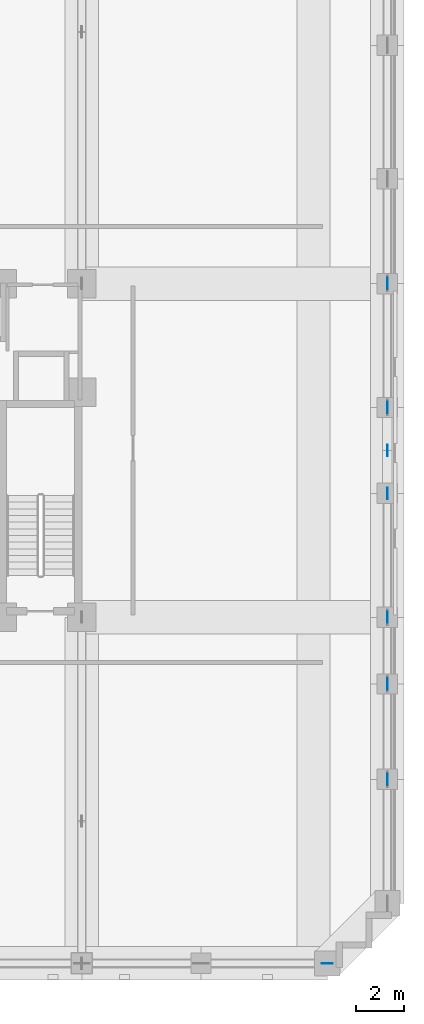
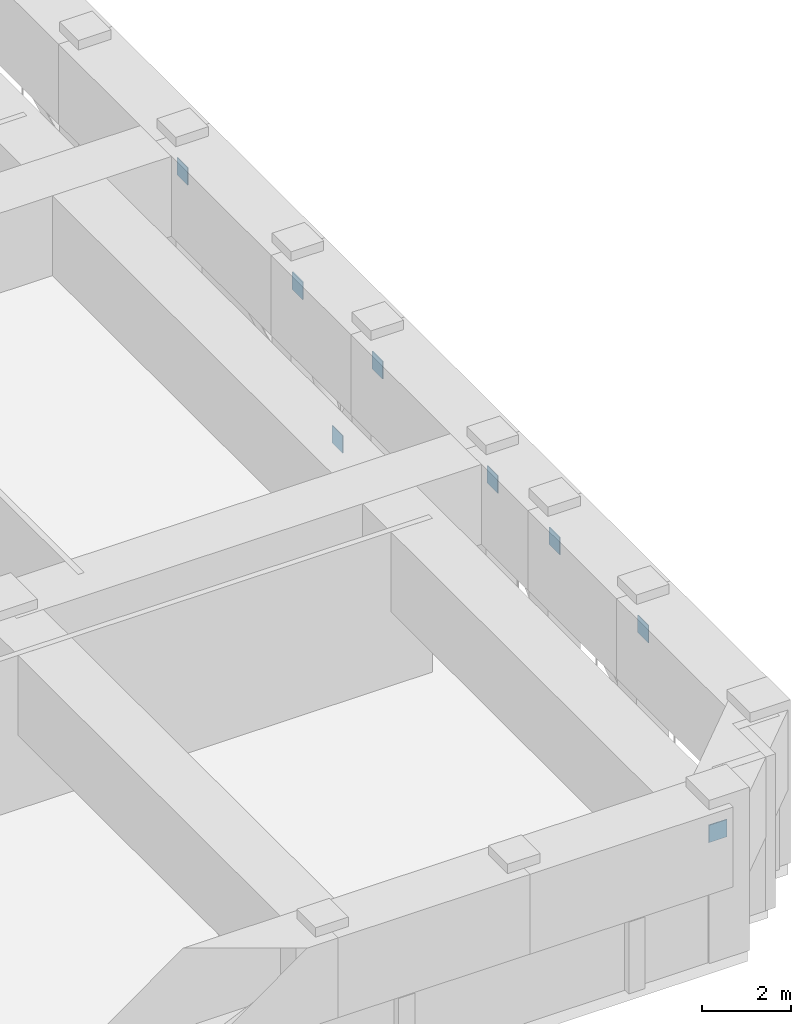
# One storey, part 7 of 11: 8 discrete accessories.
"""IFC4 building model written with IfcOpenShell, lengths in metres."""

from ifc_helpers import new_model, si_unit, derived_unit, direction, frame, origin, origin_2d, place, context, subcontext, project, spatial, rectangle, extrude, material, layer, layer_set, type_object, element, save


model = new_model("IFC4")

# Units and contexts
model_context = context("Model", 3, precision=1e-05, world=origin(), true_north=direction((0.0, 1.0)))
body_context = subcontext(model_context, "Body", "Model", "MODEL_VIEW")
ifc_project = project(units=[si_unit("LENGTHUNIT", "METRE"), si_unit("AREAUNIT", "SQUARE_METRE"), si_unit("VOLUMEUNIT", "CUBIC_METRE"), si_unit("PLANEANGLEUNIT", "RADIAN"), si_unit("MASSUNIT", "GRAM", prefix="KILO"), derived_unit("THERMALTRANSMITTANCEUNIT", [(si_unit("MASSUNIT", "GRAM", prefix="KILO"), 1), (si_unit("TIMEUNIT", "SECOND"), -3), (si_unit("THERMODYNAMICTEMPERATUREUNIT", "KELVIN"), -1)])], contexts=[model_context])

# Site, building, storey
site_placement = place(None, origin())
site = spatial("IfcSite", under=ifc_project, at=site_placement, CompositionType="ELEMENT")
building_placement = place(site_placement, origin())
building = spatial("IfcBuilding", under=site, at=building_placement, Name="Korrvale Station Residences", CompositionType="ELEMENT")
storey_placement = place(building_placement, frame((0.0, 0.0, 70.60009765625)))
storey = spatial("IfcBuildingStorey", under=building, at=storey_placement, Name="L19", CompositionType="ELEMENT", Elevation=70.60009765625)

# Discrete accessories
ifc_material = material(Name="Steel S355", Category="steel")
ifc_layer = layer(ifc_material, 0.02490234375, Name="Steel S355")
ifc_layer_set = layer_set([ifc_layer], Name="Steel S355")
discrete_accessory_type = type_object("IfcDiscreteAccessoryType", Name="ACC-GUSSET-25", PredefinedType="BRACKET", material=ifc_layer_set)
for number, where, z_axis, x_axis, name in (
    (1, (46.02001953125, 22.0, -0.219970703125), (0.0, 0.0, 1.0), (0.0, 1.0, 0.0), "L19 E Brace End Gusset Connection M"),
    (2, (46.02001953125, 20.199951171875, 2.919921875), (0.0, 0.0, 1.0), (0.0, 1.0, 0.0), "L19 E Brace End Gusset Connection A"),
    (3, (46.02001953125, 23.800048828125, 2.919921875), (0.0, 0.0, 1.0), (0.0, 1.0, 0.0), "L19 E Brace End Gusset Connection B"),
    (4, (43.5, 0.47998046875, 2.919921875), (0.0, 0.0, 1.0), (1.0, 0.0, 0.0), "L19 Belt Truss Top Gusset Connection 06"),
    (5, (46.02001953125, 8.199951171875, 2.919921875), (0.0, 0.0, 1.0), (0.0, 1.0, 0.0), "L19 Belt Truss Top Gusset Connection 21"),
    (6, (46.02001953125, 12.199951171875, 2.919921875), (0.0, 0.0, 1.0), (0.0, 1.0, 0.0), "L19 Belt Truss Top Gusset Connection 22"),
    (7, (46.02001953125, 15.0, 2.919921875), (0.0, 0.0, 1.0), (0.0, 1.0, 0.0), "L19 Belt Truss Top Gusset Connection 23"),
    (8, (46.02001953125, 29.0, 2.919921875), (0.0, 0.0, 1.0), (0.0, 1.0, 0.0), "L19 Belt Truss Top Gusset Connection 25"),
):
    element("IfcDiscreteAccessory", number, at=place(storey_placement, frame(where, z_axis=z_axis, x_axis=x_axis)), inside=storey, type_object=discrete_accessory_type, Name=name, PredefinedType="BRACKET", context=body_context, shape_type="SweptSolid", body=[
        extrude(rectangle(XDim=0.47998046875, YDim=0.02490234375, at=origin_2d()), origin(), (0.0, 0.0, 1.0), 0.47998046875),
    ])

save(model, "model.ifc")
